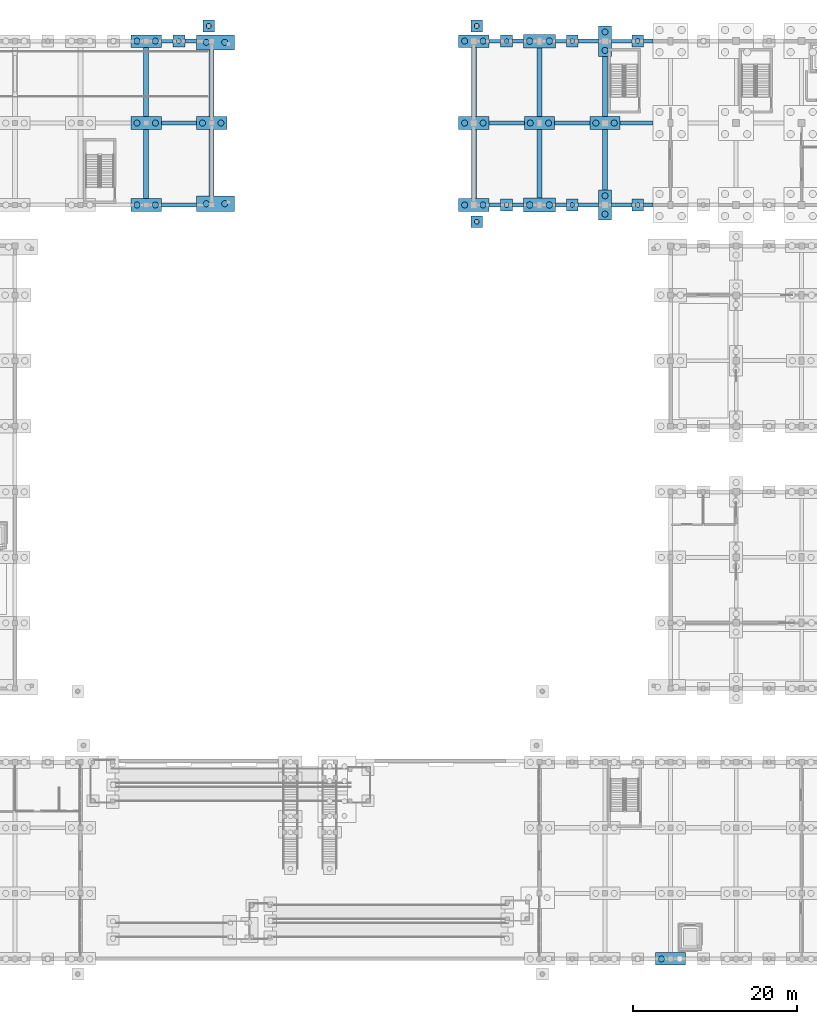
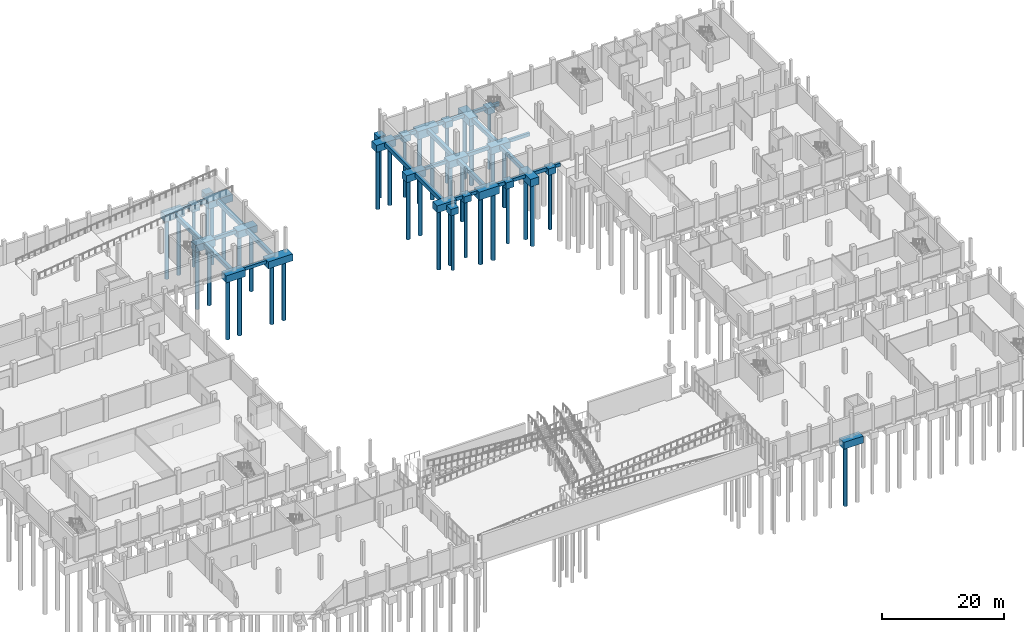
# One storey, part 8 of 52: 55 footings, 41 piles.
"""IFC4 building model written with IfcOpenShell, lengths in metres."""

import ifcopenshell
import ifcopenshell.guid

model = None  # the IFC model being written
_history = None  # IfcOwnerHistory: only IFC2X3 demands one
_inside = {}  # id of a spatial element -> (the spatial element, [elements in it])
_under = {}  # id of a project, library or spatial element -> (it, [spatial elements below it])
_declared = {}  # id of a project -> (the project, [libraries it declares])
_typed = {}  # id of a type object -> (the type object, [elements of that type])
_made_of = {}  # id of a material, layer set ... -> (it, [elements and type objects made of it])


def new_model(schema):
    """Start an empty IFC model of exactly this schema.

    Asked for "IFC4X3", IfcOpenShell would pick the latest addendum, in which some entities
    have other attributes; the version numbers below select the first issue.
    IFC2X3 requires an IfcOwnerHistory on every rooted entity: one is made here for all.
    """
    global model, _history
    if schema == "IFC4X3":
        model = ifcopenshell.file(schema_version=(4, 3, 0, 0))
    else:
        model = ifcopenshell.file(schema=schema)
    _inside.clear()
    _under.clear()
    _declared.clear()
    _typed.clear()
    _made_of.clear()
    _history = None
    if model.schema == "IFC2X3":
        org = make("IfcOrganization", Name="unknown")
        user = make(
            "IfcPersonAndOrganization",
            ThePerson=make("IfcPerson", FamilyName="unknown"),
            TheOrganization=org,
        )
        app = make(
            "IfcApplication",
            ApplicationDeveloper=org,
            Version="unknown",
            ApplicationFullName="unknown",
            ApplicationIdentifier="unknown",
        )
        _history = make(
            "IfcOwnerHistory",
            OwningUser=user,
            OwningApplication=app,
            ChangeAction="ADDED",
            CreationDate=0,
        )
    return model


def make(cls, **values):
    """One entity of the class cls with the attributes given. An attribute that is None is left unset."""
    return model.create_entity(
        cls, **{name: value for name, value in values.items() if value is not None}
    )


def rooted(cls, **values):
    """An entity with a GlobalId (a new one), such as an element, a storey or a relation."""
    return make(cls, GlobalId=ifcopenshell.guid.new(), OwnerHistory=_history, **values)


def si_unit(unit_type, name, prefix=None):
    """IfcSIUnit, for example si_unit("LENGTHUNIT", "METRE", prefix="MILLI")."""
    return make("IfcSIUnit", UnitType=unit_type, Prefix=prefix, Name=name)


def assignment(units):
    """IfcUnitAssignment: the units of a project."""
    return None if units is None else make("IfcUnitAssignment", Units=units)


def point(xyz):
    """IfcCartesianPoint."""
    return None if xyz is None else make("IfcCartesianPoint", Coordinates=xyz)


def direction(xyz):
    """IfcDirection."""
    return None if xyz is None else make("IfcDirection", DirectionRatios=xyz)


def frame(location, z_axis=None, x_axis=None):
    """IfcAxis2Placement3D, a coordinate frame: its origin and axes. An axis left out is left unset."""
    return make(
        "IfcAxis2Placement3D",
        Location=point(location),
        Axis=direction(z_axis),
        RefDirection=direction(x_axis),
    )


def frame_2d(location, x_axis=None):
    """IfcAxis2Placement2D, a coordinate frame in the plane: its origin and x axis."""
    return make(
        "IfcAxis2Placement2D", Location=point(location), RefDirection=direction(x_axis)
    )


def origin():
    """The frame at (0, 0, 0) with its axes left unset."""
    return frame((0.0, 0.0, 0.0))


def origin_2d():
    """The frame at (0, 0) in the plane with its x axis left unset."""
    return frame_2d((0.0, 0.0))


def place(relative_to, where):
    """IfcLocalPlacement: puts the frame where relative to a parent placement (None: the world)."""
    return make(
        "IfcLocalPlacement", PlacementRelTo=relative_to, RelativePlacement=where
    )


def context(
    kind, dimensions, precision=None, world=None, true_north=None, identifier=None
):
    """IfcGeometricRepresentationContext, for example the 3D "Model" context."""
    return make(
        "IfcGeometricRepresentationContext",
        ContextIdentifier=identifier,
        ContextType=kind,
        CoordinateSpaceDimension=dimensions,
        Precision=precision,
        WorldCoordinateSystem=world,
        TrueNorth=true_north,
    )


def subcontext(parent, identifier, kind, view, scale=None):
    """IfcGeometricRepresentationSubContext, for example "Body" below "Model"."""
    return make(
        "IfcGeometricRepresentationSubContext",
        ContextIdentifier=identifier,
        ContextType=kind,
        ParentContext=parent,
        TargetScale=scale,
        TargetView=view,
    )


def project(units=None, contexts=None):
    """IfcProject with its units and contexts."""
    return rooted(
        "IfcProject",
        Name="project",
        RepresentationContexts=contexts,
        UnitsInContext=assignment(units),
    )


def spatial(cls, under=None, at=None, **own):
    """A site, building, storey or space (cls), placed at a placement, below another one or the project."""
    s = rooted(cls, ObjectPlacement=at, **own)
    if under is not None:
        _under.setdefault(under.id(), (under, []))[1].append(s)
    return s


def polyline(points):
    """IfcPolyline through the points."""
    return make("IfcPolyline", Points=[point(p) for p in points])


def profile(cls, at=None, kind="AREA", **sizes):
    """A parametric profile (cls). Its sizes go by their IFC names, for example OverallWidth=200.0."""
    return make(cls, ProfileType=kind, Position=at, **sizes)


def rectangle(**sizes):
    """IfcRectangleProfileDef."""
    return profile("IfcRectangleProfileDef", **sizes)


def circle(**sizes):
    """IfcCircleProfileDef."""
    return profile("IfcCircleProfileDef", **sizes)


def outline(outer, holes=None, kind="AREA"):
    """IfcArbitraryClosedProfileDef: a profile drawn as a closed curve; with holes, ...WithVoids."""
    if holes is None:
        return make("IfcArbitraryClosedProfileDef", ProfileType=kind, OuterCurve=outer)
    return make(
        "IfcArbitraryProfileDefWithVoids",
        ProfileType=kind,
        OuterCurve=outer,
        InnerCurves=holes,
    )


def extrude(swept, where, along, depth):
    """IfcExtrudedAreaSolid: the profile swept, set in the frame where, extruded along a direction by depth."""
    return make(
        "IfcExtrudedAreaSolid",
        SweptArea=swept,
        Position=where,
        ExtrudedDirection=direction(along),
        Depth=depth,
    )


def shape(context_of_items, identifier, shape_type, items):
    """IfcShapeRepresentation: the items that make up one representation, for example the "Body"."""
    return make(
        "IfcShapeRepresentation",
        ContextOfItems=context_of_items,
        RepresentationIdentifier=identifier,
        RepresentationType=shape_type,
        Items=items,
    )


def material(Name=None, Category=None):
    """IfcMaterial."""
    return make("IfcMaterial", Name=Name, Category=Category)


def material_profile(
    of_material, cross_section, Name=None, Category=None, Priority=None
):
    """IfcMaterialProfile: a cross section and its material."""
    return make(
        "IfcMaterialProfile",
        Name=Name,
        Material=of_material,
        Profile=cross_section,
        Priority=Priority,
        Category=Category,
    )


def profile_set(profiles, Name=None, composite=None):
    """IfcMaterialProfileSet."""
    return make(
        "IfcMaterialProfileSet",
        Name=Name,
        MaterialProfiles=profiles,
        CompositeProfile=composite,
    )


def made_of(thing, what):
    """Note that an element or type object is made of a material, layer set ...; save() writes the relation."""
    if what is not None:
        _made_of.setdefault(what.id(), (what, []))[1].append(thing)
    return thing


def type_object(cls, material=None, **own):
    """A type object (cls), such as IfcWallType, which elements share."""
    return made_of(rooted(cls, **own), material)


def element(
    cls,
    number,
    at=None,
    inside=None,
    cuts=None,
    type_object=None,
    material=None,
    context=None,
    identifier="Body",
    shape_type=None,
    held_by="IfcProductDefinitionShape",
    body=None,
    shapes=None,
    **own,
):
    """One element of the class cls, such as IfcWall. Its Tag is "e" and its number.

    at: its placement. inside: the storey or other place that contains it. cuts: it is an
    opening in that element (IfcRelVoidsElement). A single representation is given by context,
    identifier, shape_type and body (its items); several are given by shapes. held_by: the class
    of the entity that holds the representations. save() writes the other relations.
    """
    e = rooted(cls, Tag="e%d" % number, ObjectPlacement=at, **own)
    if body is not None:
        shapes = [shape(context, identifier, shape_type, body)]
    if shapes is not None:
        e.Representation = make(held_by, Representations=shapes)
    if inside is not None:
        _inside.setdefault(inside.id(), (inside, []))[1].append(e)
    if cuts is not None:
        rooted(
            "IfcRelVoidsElement", RelatingBuildingElement=cuts, RelatedOpeningElement=e
        )
    if type_object is not None:
        _typed.setdefault(type_object.id(), (type_object, []))[1].append(e)
    return made_of(e, material)


def aggregate(whole, parts):
    """IfcRelAggregates: a whole, such as a stair, and the parts it consists of."""
    return rooted("IfcRelAggregates", RelatingObject=whole, RelatedObjects=parts)


def save(model, path):
    """Write the relations noted so far, then the file.

    IfcRelAggregates (storeys below a building ...), IfcRelContainedInSpatialStructure (elements
    in a storey), IfcRelDefinesByType, IfcRelAssociatesMaterial and IfcRelDeclares: one each for
    every whole, place, type object, material and project.
    """
    for whole, parts in _under.values():
        aggregate(whole, parts)
    for where, things in _inside.values():
        rooted(
            "IfcRelContainedInSpatialStructure",
            RelatedElements=things,
            RelatingStructure=where,
        )
    for kind, things in _typed.values():
        rooted("IfcRelDefinesByType", RelatedObjects=things, RelatingType=kind)
    for what, things in _made_of.values():
        rooted("IfcRelAssociatesMaterial", RelatedObjects=things, RelatingMaterial=what)
    for by, libraries in _declared.values():
        rooted("IfcRelDeclares", RelatingContext=by, RelatedDefinitions=libraries)
    model.write(path)


model = new_model("IFC4")

# Units and contexts
model_context = context("Model", 3, precision=1e-05, world=origin(), true_north=direction((0.0, 1.0)))
body_context = subcontext(model_context, "Body", "Model", "MODEL_VIEW")
ifc_project = project(units=[si_unit("LENGTHUNIT", "METRE"), si_unit("AREAUNIT", "SQUARE_METRE"), si_unit("VOLUMEUNIT", "CUBIC_METRE"), si_unit("PLANEANGLEUNIT", "RADIAN"), si_unit("MASSUNIT", "GRAM", prefix="KILO")], contexts=[model_context])

# Site, building, storey
site_placement = place(None, origin())
site = spatial("IfcSite", under=ifc_project, at=site_placement, CompositionType="ELEMENT")
building_placement = place(site_placement, origin())
building = spatial("IfcBuilding", under=site, at=building_placement, Name="Luwemba Playhouse", CompositionType="ELEMENT")
storey_placement = place(building_placement, frame((0.0, 0.0, -4.800048828125)))
storey = spatial("IfcBuildingStorey", under=building, at=storey_placement, Name="B1", CompositionType="ELEMENT", Elevation=-4.800048828125)

# Footings
ifc_material = material(Name="Concrete C32/40", Category="concrete")
ifc_material_profile_1 = material_profile(ifc_material, rectangle(XDim=0.449951171875, YDim=0.64990234375, at=origin_2d()))
ifc_profile_set_1 = profile_set([ifc_material_profile_1], Name="Concrete C32/40")
footing_type_1 = type_object("IfcFootingType", Name="FTBM-GB1", PredefinedType="FOOTING_BEAM", material=ifc_profile_set_1)
footing_1_placement = place(storey_placement, frame((69.85009765625, 95.0, -0.704833984375), z_axis=(1.0, 0.0, 0.0), x_axis=(0.0, 1.0, 0.0)))
element("IfcFooting", 1, at=footing_1_placement, inside=storey, type_object=footing_type_1, Name="Ground tie-beam 201", PredefinedType="FOOTING_BEAM", context=body_context, shape_type="SweptSolid", body=[
    extrude(rectangle(XDim=0.449951171875, YDim=0.64990234375, at=origin_2d()), origin(), (0.0, 0.0, 1.0), 4.2998046875),
])
footing_2_placement = place(storey_placement, frame((112.72509765625, 95.0, -0.704833984375), z_axis=(1.0, 0.0, 0.0), x_axis=(0.0, 1.0, 0.0)))
element("IfcFooting", 2, at=footing_2_placement, inside=storey, type_object=footing_type_1, Name="Ground tie-beam 203", PredefinedType="FOOTING_BEAM", context=body_context, shape_type="SweptSolid", body=[
    extrude(rectangle(XDim=0.449951171875, YDim=0.64990234375, at=origin_2d()), origin(), (0.0, 0.0, 1.0), 1.324951171875),
])
footing_3_placement = place(storey_placement, frame((120.72509765625, 95.0, -0.704833984375), z_axis=(1.0, 0.0, 0.0), x_axis=(0.0, 1.0, 0.0)))
element("IfcFooting", 3, at=footing_3_placement, inside=storey, type_object=footing_type_1, Name="Ground tie-beam 205", PredefinedType="FOOTING_BEAM", context=body_context, shape_type="SweptSolid", body=[
    extrude(rectangle(XDim=0.449951171875, YDim=0.64990234375, at=origin_2d()), origin(), (0.0, 0.0, 1.0), 2.474853515625),
])
footing_4_placement = place(storey_placement, frame((128.72509765625, 95.0, -0.704833984375), z_axis=(1.0, 0.0, 0.0), x_axis=(0.0, 1.0, 0.0)))
element("IfcFooting", 4, at=footing_4_placement, inside=storey, type_object=footing_type_1, Name="Ground tie-beam 207", PredefinedType="FOOTING_BEAM", context=body_context, shape_type="SweptSolid", body=[
    extrude(rectangle(XDim=0.449951171875, YDim=0.64990234375, at=origin_2d()), origin(), (0.0, 0.0, 1.0), 1.125),
])
footing_5_placement = place(storey_placement, frame((109.85009765625, 105.0, -0.704833984375), z_axis=(1.0, 0.0, 0.0), x_axis=(0.0, 1.0, 0.0)))
element("IfcFooting", 5, at=footing_5_placement, inside=storey, type_object=footing_type_1, Name="Ground tie-beam 227", PredefinedType="FOOTING_BEAM", context=body_context, shape_type="SweptSolid", body=[
    extrude(rectangle(XDim=0.449951171875, YDim=0.64990234375, at=origin_2d()), origin(), (0.0, 0.0, 1.0), 4.2998046875),
])
footing_6_placement = place(storey_placement, frame((125.85009765625, 105.0, -0.704833984375), z_axis=(1.0, 0.0, 0.0), x_axis=(0.0, 1.0, 0.0)))
element("IfcFooting", 6, at=footing_6_placement, inside=storey, type_object=footing_type_1, Name="Ground tie-beam 229", PredefinedType="FOOTING_BEAM", context=body_context, shape_type="SweptSolid", body=[
    extrude(rectangle(XDim=0.449951171875, YDim=0.64990234375, at=origin_2d()), origin(), (0.0, 0.0, 1.0), 4.0),
])
for number, where, z_axis, x_axis, name in (
    (7, (69.85009765625, 115.0, -0.704833984375), (1.0, 0.0, 0.0), (0.0, 1.0, 0.0), "Ground tie-beam 251"),
    (8, (109.85009765625, 115.0, -0.704833984375), (1.0, 0.0, 0.0), (0.0, 1.0, 0.0), "Ground tie-beam 253"),
):
    element("IfcFooting", number, at=place(storey_placement, frame(where, z_axis=z_axis, x_axis=x_axis)), inside=storey, type_object=footing_type_1, Name=name, PredefinedType="FOOTING_BEAM", context=body_context, shape_type="SweptSolid", body=[
        extrude(rectangle(XDim=0.449951171875, YDim=0.64990234375, at=origin_2d()), origin(), (0.0, 0.0, 1.0), 1.4248046875),
    ])
footing_7_placement = place(storey_placement, frame((117.949951171875, 115.0, -0.704833984375), z_axis=(1.0, 0.0, 0.0), x_axis=(0.0, 1.0, 0.0)))
element("IfcFooting", 9, at=footing_7_placement, inside=storey, type_object=footing_type_1, Name="Ground tie-beam 255", PredefinedType="FOOTING_BEAM", context=body_context, shape_type="SweptSolid", body=[
    extrude(rectangle(XDim=0.449951171875, YDim=0.64990234375, at=origin_2d()), origin(), (0.0, 0.0, 1.0), 1.324951171875),
])
footing_8_placement = place(storey_placement, frame((124.800048828125, 115.0, -0.704833984375), z_axis=(1.0, 0.0, 0.0), x_axis=(0.0, 1.0, 0.0)))
element("IfcFooting", 10, at=footing_8_placement, inside=storey, type_object=footing_type_1, Name="Ground tie-beam 257", PredefinedType="FOOTING_BEAM", context=body_context, shape_type="SweptSolid", body=[
    extrude(rectangle(XDim=0.449951171875, YDim=0.64990234375, at=origin_2d()), origin(), (0.0, 0.0, 1.0), 2.474853515625),
])
ifc_material_profile_2 = material_profile(ifc_material, rectangle(XDim=0.5, YDim=0.699951171875, at=origin_2d()))
ifc_profile_set_2 = profile_set([ifc_material_profile_2], Name="Concrete C32/40")
footing_type_2 = type_object("IfcFootingType", Name="FTBM-GB2", PredefinedType="FOOTING_BEAM", material=ifc_profile_set_2)
footing_9_placement = place(storey_placement, frame((109.85009765625, 95.0, -0.72998046875), z_axis=(1.0, 0.0, 0.0), x_axis=(0.0, 1.0, 0.0)))
element("IfcFooting", 11, at=footing_9_placement, inside=storey, type_object=footing_type_2, Name="Ground tie-beam 202", PredefinedType="FOOTING_BEAM", context=body_context, shape_type="SweptSolid", body=[
    extrude(rectangle(XDim=0.5, YDim=0.699951171875, at=origin_2d()), origin(), (0.0, 0.0, 1.0), 1.4248046875),
])
footing_10_placement = place(storey_placement, frame((117.949951171875, 95.0, -0.72998046875), z_axis=(1.0, 0.0, 0.0), x_axis=(0.0, 1.0, 0.0)))
element("IfcFooting", 12, at=footing_10_placement, inside=storey, type_object=footing_type_2, Name="Ground tie-beam 204", PredefinedType="FOOTING_BEAM", context=body_context, shape_type="SweptSolid", body=[
    extrude(rectangle(XDim=0.5, YDim=0.699951171875, at=origin_2d()), origin(), (0.0, 0.0, 1.0), 1.324951171875),
])
footing_11_placement = place(storey_placement, frame((124.800048828125, 95.0, -0.72998046875), z_axis=(1.0, 0.0, 0.0), x_axis=(0.0, 1.0, 0.0)))
element("IfcFooting", 13, at=footing_11_placement, inside=storey, type_object=footing_type_2, Name="Ground tie-beam 206", PredefinedType="FOOTING_BEAM", context=body_context, shape_type="SweptSolid", body=[
    extrude(rectangle(XDim=0.5, YDim=0.699951171875, at=origin_2d()), origin(), (0.0, 0.0, 1.0), 2.474853515625),
])
for number, where, z_axis, x_axis, name in (
    (14, (69.85009765625, 105.0, -0.72998046875), (1.0, 0.0, 0.0), (0.0, 1.0, 0.0), "Ground tie-beam 226"),
    (15, (117.85009765625, 105.0, -0.72998046875), (1.0, 0.0, 0.0), (0.0, 1.0, 0.0), "Ground tie-beam 228"),
):
    element("IfcFooting", number, at=place(storey_placement, frame(where, z_axis=z_axis, x_axis=x_axis)), inside=storey, type_object=footing_type_2, Name=name, PredefinedType="FOOTING_BEAM", context=body_context, shape_type="SweptSolid", body=[
        extrude(rectangle(XDim=0.5, YDim=0.699951171875, at=origin_2d()), origin(), (0.0, 0.0, 1.0), 4.2998046875),
    ])
footing_12_placement = place(storey_placement, frame((72.72509765625, 115.0, -0.72998046875), z_axis=(1.0, 0.0, 0.0), x_axis=(0.0, 1.0, 0.0)))
element("IfcFooting", 16, at=footing_12_placement, inside=storey, type_object=footing_type_2, Name="Ground tie-beam 252", PredefinedType="FOOTING_BEAM", context=body_context, shape_type="SweptSolid", body=[
    extrude(rectangle(XDim=0.5, YDim=0.699951171875, at=origin_2d()), origin(), (0.0, 0.0, 1.0), 1.4248046875),
])
footing_13_placement = place(storey_placement, frame((112.72509765625, 115.0, -0.72998046875), z_axis=(1.0, 0.0, 0.0), x_axis=(0.0, 1.0, 0.0)))
element("IfcFooting", 17, at=footing_13_placement, inside=storey, type_object=footing_type_2, Name="Ground tie-beam 254", PredefinedType="FOOTING_BEAM", context=body_context, shape_type="SweptSolid", body=[
    extrude(rectangle(XDim=0.5, YDim=0.699951171875, at=origin_2d()), origin(), (0.0, 0.0, 1.0), 1.324951171875),
])
footing_14_placement = place(storey_placement, frame((120.72509765625, 115.0, -0.72998046875), z_axis=(1.0, 0.0, 0.0), x_axis=(0.0, 1.0, 0.0)))
element("IfcFooting", 18, at=footing_14_placement, inside=storey, type_object=footing_type_2, Name="Ground tie-beam 256", PredefinedType="FOOTING_BEAM", context=body_context, shape_type="SweptSolid", body=[
    extrude(rectangle(XDim=0.5, YDim=0.699951171875, at=origin_2d()), origin(), (0.0, 0.0, 1.0), 2.474853515625),
])
footing_15_placement = place(storey_placement, frame((128.72509765625, 115.0, -0.72998046875), z_axis=(1.0, 0.0, 0.0), x_axis=(0.0, 1.0, 0.0)))
element("IfcFooting", 19, at=footing_15_placement, inside=storey, type_object=footing_type_2, Name="Ground tie-beam 258", PredefinedType="FOOTING_BEAM", context=body_context, shape_type="SweptSolid", body=[
    extrude(rectangle(XDim=0.5, YDim=0.699951171875, at=origin_2d()), origin(), (0.0, 0.0, 1.0), 1.125),
])
ifc_material_profile_3 = material_profile(ifc_material, rectangle(XDim=0.60009765625, YDim=0.800048828125, at=origin_2d()))
ifc_profile_set_3 = profile_set([ifc_material_profile_3], Name="Concrete C32/40")
footing_type_3 = type_object("IfcFootingType", Name="FTBM-GB3", PredefinedType="FOOTING_BEAM", material=ifc_profile_set_3)
for number, where, z_axis, x_axis, name in (
    (20, (68.0, 95.77490234375, -0.780029296875), (0.0, 1.0, 0.0), (-1.0, 0.0, 0.0), "Ground tie-beam 346"),
    (21, (68.0, 105.77490234375, -0.780029296875), (0.0, 1.0, 0.0), (-1.0, 0.0, 0.0), "Ground tie-beam 347"),
):
    element("IfcFooting", number, at=place(storey_placement, frame(where, z_axis=z_axis, x_axis=x_axis)), inside=storey, type_object=footing_type_3, Name=name, PredefinedType="FOOTING_BEAM", context=body_context, shape_type="SweptSolid", body=[
        extrude(rectangle(XDim=0.60009765625, YDim=0.800048828125, at=origin_2d()), origin(), (0.0, 0.0, 1.0), 8.4501953125),
    ])
for number, where, z_axis, x_axis, name in (
    (22, (76.0, 96.074951171875, -0.780029296875), (0.0, 1.0, 0.0), (-1.0, 0.0, 0.0), "Ground tie-beam 348"),
    (23, (76.0, 105.77490234375, -0.780029296875), (0.0, 1.0, 0.0), (-1.0, 0.0, 0.0), "Ground tie-beam 349"),
):
    element("IfcFooting", number, at=place(storey_placement, frame(where, z_axis=z_axis, x_axis=x_axis)), inside=storey, type_object=footing_type_3, Name=name, PredefinedType="FOOTING_BEAM", context=body_context, shape_type="SweptSolid", body=[
        extrude(rectangle(XDim=0.60009765625, YDim=0.800048828125, at=origin_2d()), origin(), (0.0, 0.0, 1.0), 8.150146484375),
    ])
for number, where, z_axis, x_axis, name in (
    (24, (108.0, 95.77490234375, -0.780029296875), (0.0, 1.0, 0.0), (-1.0, 0.0, 0.0), "Ground tie-beam 350"),
    (25, (108.0, 105.77490234375, -0.780029296875), (0.0, 1.0, 0.0), (-1.0, 0.0, 0.0), "Ground tie-beam 351"),
):
    element("IfcFooting", number, at=place(storey_placement, frame(where, z_axis=z_axis, x_axis=x_axis)), inside=storey, type_object=footing_type_3, Name=name, PredefinedType="FOOTING_BEAM", context=body_context, shape_type="SweptSolid", body=[
        extrude(rectangle(XDim=0.60009765625, YDim=0.800048828125, at=origin_2d()), origin(), (0.0, 0.0, 1.0), 8.4501953125),
    ])
for number, where, z_axis, x_axis, name in (
    (26, (116.0, 95.824951171875, -0.780029296875), (0.0, 1.0, 0.0), (-1.0, 0.0, 0.0), "Ground tie-beam 355"),
    (27, (116.0, 105.77490234375, -0.780029296875), (0.0, 1.0, 0.0), (-1.0, 0.0, 0.0), "Ground tie-beam 356"),
):
    element("IfcFooting", number, at=place(storey_placement, frame(where, z_axis=z_axis, x_axis=x_axis)), inside=storey, type_object=footing_type_3, Name=name, PredefinedType="FOOTING_BEAM", context=body_context, shape_type="SweptSolid", body=[
        extrude(rectangle(XDim=0.60009765625, YDim=0.800048828125, at=origin_2d()), origin(), (0.0, 0.0, 1.0), 8.400146484375),
    ])
for number, where, z_axis, x_axis, name in (
    (28, (124.0, 96.85009765625, -0.780029296875), (0.0, 1.0, 0.0), (-1.0, 0.0, 0.0), "Ground tie-beam 360"),
    (29, (124.0, 105.77490234375, -0.780029296875), (0.0, 1.0, 0.0), (-1.0, 0.0, 0.0), "Ground tie-beam 361"),
):
    element("IfcFooting", number, at=place(storey_placement, frame(where, z_axis=z_axis, x_axis=x_axis)), inside=storey, type_object=footing_type_3, Name=name, PredefinedType="FOOTING_BEAM", context=body_context, shape_type="SweptSolid", body=[
        extrude(rectangle(XDim=0.60009765625, YDim=0.800048828125, at=origin_2d()), origin(), (0.0, 0.0, 1.0), 7.375),
    ])
footing_type_4 = type_object("IfcFootingType", Name="FTG-PC02", PredefinedType="PILE_CAP", material=ifc_material)
footing_16_placement = place(storey_placement, frame((0.0, 0.0, -1.679931640625)))
element("IfcFooting", 30, at=footing_16_placement, inside=storey, type_object=footing_type_4, Name="Pile cap 256", PredefinedType="PILE_CAP", context=body_context, shape_type="SweptSolid", body=[
    extrude(outline(polyline([(107.625, 92.22509765625), (109.074951171875, 92.22509765625), (109.074951171875, 93.675048828125), (107.625, 93.675048828125), (107.625, 92.22509765625)])), origin(), (0.0, 0.0, 1.0), 1.300048828125),
])
footing_17_placement = place(storey_placement, frame((0.0, 0.0, -1.679931640625)))
element("IfcFooting", 31, at=footing_17_placement, inside=storey, type_object=footing_type_4, Name="Pile cap 278", PredefinedType="PILE_CAP", context=body_context, shape_type="SweptSolid", body=[
    extrude(outline(polyline([(111.27490234375, 94.27490234375), (112.72509765625, 94.27490234375), (112.72509765625, 95.72509765625), (111.27490234375, 95.72509765625), (111.27490234375, 94.27490234375)])), origin(), (0.0, 0.0, 1.0), 1.300048828125),
])
footing_18_placement = place(storey_placement, frame((0.0, 0.0, -1.679931640625)))
element("IfcFooting", 32, at=footing_18_placement, inside=storey, type_object=footing_type_4, Name="Pile cap 279", PredefinedType="PILE_CAP", context=body_context, shape_type="SweptSolid", body=[
    extrude(outline(polyline([(119.27490234375, 94.27490234375), (120.72509765625, 94.27490234375), (120.72509765625, 95.72509765625), (119.27490234375, 95.72509765625), (119.27490234375, 94.27490234375)])), origin(), (0.0, 0.0, 1.0), 1.300048828125),
])
footing_19_placement = place(storey_placement, frame((0.0, 0.0, -1.679931640625)))
element("IfcFooting", 33, at=footing_19_placement, inside=storey, type_object=footing_type_4, Name="Pile cap 280", PredefinedType="PILE_CAP", context=body_context, shape_type="SweptSolid", body=[
    extrude(outline(polyline([(127.27490234375, 94.27490234375), (128.72509765625, 94.27490234375), (128.72509765625, 95.72509765625), (127.27490234375, 95.72509765625), (127.27490234375, 94.27490234375)])), origin(), (0.0, 0.0, 1.0), 1.300048828125),
])
footing_20_placement = place(storey_placement, frame((0.0, 0.0, -1.679931640625)))
element("IfcFooting", 34, at=footing_20_placement, inside=storey, type_object=footing_type_4, Name="Pile cap 332", PredefinedType="PILE_CAP", context=body_context, shape_type="SweptSolid", body=[
    extrude(outline(polyline([(71.27490234375, 114.27490234375), (72.72509765625, 114.27490234375), (72.72509765625, 115.72509765625), (71.27490234375, 115.72509765625), (71.27490234375, 114.27490234375)])), origin(), (0.0, 0.0, 1.0), 1.300048828125),
])
footing_21_placement = place(storey_placement, frame((0.0, 0.0, -1.679931640625)))
element("IfcFooting", 35, at=footing_21_placement, inside=storey, type_object=footing_type_4, Name="Pile cap 333", PredefinedType="PILE_CAP", context=body_context, shape_type="SweptSolid", body=[
    extrude(outline(polyline([(111.27490234375, 114.27490234375), (112.72509765625, 114.27490234375), (112.72509765625, 115.72509765625), (111.27490234375, 115.72509765625), (111.27490234375, 114.27490234375)])), origin(), (0.0, 0.0, 1.0), 1.300048828125),
])
footing_22_placement = place(storey_placement, frame((0.0, 0.0, -1.679931640625)))
element("IfcFooting", 36, at=footing_22_placement, inside=storey, type_object=footing_type_4, Name="Pile cap 334", PredefinedType="PILE_CAP", context=body_context, shape_type="SweptSolid", body=[
    extrude(outline(polyline([(119.27490234375, 114.27490234375), (120.72509765625, 114.27490234375), (120.72509765625, 115.72509765625), (119.27490234375, 115.72509765625), (119.27490234375, 114.27490234375)])), origin(), (0.0, 0.0, 1.0), 1.300048828125),
])
footing_23_placement = place(storey_placement, frame((0.0, 0.0, -1.679931640625)))
element("IfcFooting", 37, at=footing_23_placement, inside=storey, type_object=footing_type_4, Name="Pile cap 335", PredefinedType="PILE_CAP", context=body_context, shape_type="SweptSolid", body=[
    extrude(outline(polyline([(127.27490234375, 114.27490234375), (128.72509765625, 114.27490234375), (128.72509765625, 115.72509765625), (127.27490234375, 115.72509765625), (127.27490234375, 114.27490234375)])), origin(), (0.0, 0.0, 1.0), 1.300048828125),
])
footing_24_placement = place(storey_placement, frame((0.0, 0.0, -1.679931640625)))
element("IfcFooting", 38, at=footing_24_placement, inside=storey, type_object=footing_type_4, Name="Pile cap 342", PredefinedType="PILE_CAP", context=body_context, shape_type="SweptSolid", body=[
    extrude(outline(polyline([(74.925048828125, 116.125), (76.375, 116.125), (76.375, 117.574951171875), (74.925048828125, 117.574951171875), (74.925048828125, 116.125)])), origin(), (0.0, 0.0, 1.0), 1.300048828125),
])
footing_25_placement = place(storey_placement, frame((0.0, 0.0, -1.679931640625)))
element("IfcFooting", 39, at=footing_25_placement, inside=storey, type_object=footing_type_4, Name="Pile cap 343", PredefinedType="PILE_CAP", context=body_context, shape_type="SweptSolid", body=[
    extrude(outline(polyline([(107.625, 116.125), (109.074951171875, 116.125), (109.074951171875, 117.574951171875), (107.625, 117.574951171875), (107.625, 116.125)])), origin(), (0.0, 0.0, 1.0), 1.300048828125),
])
footing_type_5 = type_object("IfcFootingType", Name="FTG-PC03", PredefinedType="PILE_CAP", material=ifc_material)
footing_26_placement = place(storey_placement, frame((0.0, 0.0, -1.8798828125)))
element("IfcFooting", 40, at=footing_26_placement, inside=storey, type_object=footing_type_5, Name="Pile cap 263", PredefinedType="PILE_CAP", context=body_context, shape_type="SweptSolid", body=[
    extrude(outline(polyline([(123.199951171875, 93.14990234375), (124.800048828125, 93.14990234375), (124.800048828125, 96.85009765625), (123.199951171875, 96.85009765625), (123.199951171875, 93.14990234375)])), origin(), (0.0, 0.0, 1.0), 1.5),
])
footing_27_placement = place(storey_placement, frame((0.0, 0.0, -1.8798828125)))
element("IfcFooting", 41, at=footing_27_placement, inside=storey, type_object=footing_type_5, Name="Pile cap 311", PredefinedType="PILE_CAP", context=body_context, shape_type="SweptSolid", body=[
    extrude(outline(polyline([(123.199951171875, 113.14990234375), (124.800048828125, 113.14990234375), (124.800048828125, 116.85009765625), (123.199951171875, 116.85009765625), (123.199951171875, 113.14990234375)])), origin(), (0.0, 0.0, 1.0), 1.5),
])
footing_type_6 = type_object("IfcFootingType", Name="FTG-PC04", PredefinedType="PILE_CAP", material=ifc_material)
footing_28_placement = place(storey_placement, frame((0.0, 0.0, -1.97998046875)))
element("IfcFooting", 42, at=footing_28_placement, inside=storey, type_object=footing_type_6, Name="Pile cap 264", PredefinedType="PILE_CAP", context=body_context, shape_type="SweptSolid", body=[
    extrude(outline(polyline([(114.050048828125, 94.175048828125), (117.949951171875, 94.175048828125), (117.949951171875, 95.824951171875), (114.050048828125, 95.824951171875), (114.050048828125, 94.175048828125)])), origin(), (0.0, 0.0, 1.0), 1.60009765625),
])
footing_29_placement = place(storey_placement, frame((0.0, 0.0, -1.97998046875)))
element("IfcFooting", 43, at=footing_29_placement, inside=storey, type_object=footing_type_6, Name="Pile cap 314", PredefinedType="PILE_CAP", context=body_context, shape_type="SweptSolid", body=[
    extrude(outline(polyline([(114.050048828125, 114.175048828125), (117.949951171875, 114.175048828125), (117.949951171875, 115.824951171875), (114.050048828125, 115.824951171875), (114.050048828125, 114.175048828125)])), origin(), (0.0, 0.0, 1.0), 1.60009765625),
])
footing_type_7 = type_object("IfcFootingType", Name="FTG-PC05", PredefinedType="PILE_CAP", material=ifc_material)
footing_30_placement = place(storey_placement, frame((0.0, 0.0, -1.780029296875)))
element("IfcFooting", 44, at=footing_30_placement, inside=storey, type_object=footing_type_7, Name="Pile cap 014", PredefinedType="PILE_CAP", context=body_context, shape_type="SweptSolid", body=[
    extrude(outline(polyline([(130.14990234375, 2.22509765625), (133.85009765625, 2.22509765625), (133.85009765625, 3.77490234375), (130.14990234375, 3.77490234375), (130.14990234375, 2.22509765625)])), origin(), (0.0, 0.0, 1.0), 1.400146484375),
])
footing_31_placement = place(storey_placement, frame((0.0, 0.0, -1.780029296875)))
element("IfcFooting", 45, at=footing_31_placement, inside=storey, type_object=footing_type_7, Name="Pile cap 273", PredefinedType="PILE_CAP", context=body_context, shape_type="SweptSolid", body=[
    extrude(outline(polyline([(66.14990234375, 94.22509765625), (69.85009765625, 94.22509765625), (69.85009765625, 95.77490234375), (66.14990234375, 95.77490234375), (66.14990234375, 94.22509765625)])), origin(), (0.0, 0.0, 1.0), 1.400146484375),
])
footing_32_placement = place(storey_placement, frame((0.0, 0.0, -1.780029296875)))
element("IfcFooting", 46, at=footing_32_placement, inside=storey, type_object=footing_type_7, Name="Pile cap 275", PredefinedType="PILE_CAP", context=body_context, shape_type="SweptSolid", body=[
    extrude(outline(polyline([(106.14990234375, 94.22509765625), (109.85009765625, 94.22509765625), (109.85009765625, 95.77490234375), (106.14990234375, 95.77490234375), (106.14990234375, 94.22509765625)])), origin(), (0.0, 0.0, 1.0), 1.400146484375),
])
footing_33_placement = place(storey_placement, frame((0.0, 0.0, -1.780029296875)))
element("IfcFooting", 47, at=footing_33_placement, inside=storey, type_object=footing_type_7, Name="Pile cap 300", PredefinedType="PILE_CAP", context=body_context, shape_type="SweptSolid", body=[
    extrude(outline(polyline([(66.14990234375, 104.22509765625), (69.85009765625, 104.22509765625), (69.85009765625, 105.77490234375), (66.14990234375, 105.77490234375), (66.14990234375, 104.22509765625)])), origin(), (0.0, 0.0, 1.0), 1.400146484375),
])
footing_34_placement = place(storey_placement, frame((0.0, 0.0, -1.780029296875)))
element("IfcFooting", 48, at=footing_34_placement, inside=storey, type_object=footing_type_7, Name="Pile cap 301", PredefinedType="PILE_CAP", context=body_context, shape_type="SweptSolid", body=[
    extrude(outline(polyline([(74.14990234375, 104.22509765625), (77.85009765625, 104.22509765625), (77.85009765625, 105.77490234375), (74.14990234375, 105.77490234375), (74.14990234375, 104.22509765625)])), origin(), (0.0, 0.0, 1.0), 1.400146484375),
])
footing_35_placement = place(storey_placement, frame((0.0, 0.0, -1.780029296875)))
element("IfcFooting", 49, at=footing_35_placement, inside=storey, type_object=footing_type_7, Name="Pile cap 302", PredefinedType="PILE_CAP", context=body_context, shape_type="SweptSolid", body=[
    extrude(outline(polyline([(106.14990234375, 104.22509765625), (109.85009765625, 104.22509765625), (109.85009765625, 105.77490234375), (106.14990234375, 105.77490234375), (106.14990234375, 104.22509765625)])), origin(), (0.0, 0.0, 1.0), 1.400146484375),
])
footing_36_placement = place(storey_placement, frame((0.0, 0.0, -1.780029296875)))
element("IfcFooting", 50, at=footing_36_placement, inside=storey, type_object=footing_type_7, Name="Pile cap 303", PredefinedType="PILE_CAP", context=body_context, shape_type="SweptSolid", body=[
    extrude(outline(polyline([(114.14990234375, 104.22509765625), (117.85009765625, 104.22509765625), (117.85009765625, 105.77490234375), (114.14990234375, 105.77490234375), (114.14990234375, 104.22509765625)])), origin(), (0.0, 0.0, 1.0), 1.400146484375),
])
footing_37_placement = place(storey_placement, frame((0.0, 0.0, -1.780029296875)))
element("IfcFooting", 51, at=footing_37_placement, inside=storey, type_object=footing_type_7, Name="Pile cap 304", PredefinedType="PILE_CAP", context=body_context, shape_type="SweptSolid", body=[
    extrude(outline(polyline([(122.14990234375, 104.22509765625), (125.85009765625, 104.22509765625), (125.85009765625, 105.77490234375), (122.14990234375, 105.77490234375), (122.14990234375, 104.22509765625)])), origin(), (0.0, 0.0, 1.0), 1.400146484375),
])
footing_38_placement = place(storey_placement, frame((0.0, 0.0, -1.780029296875)))
element("IfcFooting", 52, at=footing_38_placement, inside=storey, type_object=footing_type_7, Name="Pile cap 322", PredefinedType="PILE_CAP", context=body_context, shape_type="SweptSolid", body=[
    extrude(outline(polyline([(66.14990234375, 114.22509765625), (69.85009765625, 114.22509765625), (69.85009765625, 115.77490234375), (66.14990234375, 115.77490234375), (66.14990234375, 114.22509765625)])), origin(), (0.0, 0.0, 1.0), 1.400146484375),
])
footing_39_placement = place(storey_placement, frame((0.0, 0.0, -1.780029296875)))
element("IfcFooting", 53, at=footing_39_placement, inside=storey, type_object=footing_type_7, Name="Pile cap 323", PredefinedType="PILE_CAP", context=body_context, shape_type="SweptSolid", body=[
    extrude(outline(polyline([(106.14990234375, 114.22509765625), (109.85009765625, 114.22509765625), (109.85009765625, 115.77490234375), (106.14990234375, 115.77490234375), (106.14990234375, 114.22509765625)])), origin(), (0.0, 0.0, 1.0), 1.400146484375),
])
footing_type_8 = type_object("IfcFootingType", Name="FTG-PC20", PredefinedType="PILE_CAP", material=ifc_material)
footing_40_placement = place(storey_placement, frame((0.0, 0.0, -1.780029296875)))
element("IfcFooting", 54, at=footing_40_placement, inside=storey, type_object=footing_type_8, Name="Pile cap 274", PredefinedType="PILE_CAP", context=body_context, shape_type="SweptSolid", body=[
    extrude(outline(polyline([(74.14990234375, 94.22509765625), (78.77490234375, 94.22509765625), (78.77490234375, 96.074951171875), (74.14990234375, 96.074951171875), (74.14990234375, 94.22509765625)])), origin(), (0.0, 0.0, 1.0), 1.400146484375),
])
footing_41_placement = place(storey_placement, frame((0.0, 0.0, -1.780029296875)))
element("IfcFooting", 55, at=footing_41_placement, inside=storey, type_object=footing_type_8, Name="Pile cap 313", PredefinedType="PILE_CAP", context=body_context, shape_type="SweptSolid", body=[
    extrude(outline(polyline([(74.14990234375, 113.925048828125), (78.77490234375, 113.925048828125), (78.77490234375, 115.77490234375), (74.14990234375, 115.77490234375), (74.14990234375, 113.925048828125)])), origin(), (0.0, 0.0, 1.0), 1.400146484375),
])

# Piles
ifc_material_profile_4 = material_profile(ifc_material, circle(Radius=0.300048828125, at=origin_2d()))
ifc_profile_set_4 = profile_set([ifc_material_profile_4], Name="Concrete C32/40")
pile_type_1 = type_object("IfcPileType", Name="PILE-BP1", PredefinedType="BORED", material=ifc_profile_set_4)
for number, where, z_axis, x_axis, name in (
    (56, (108.35009765625, 92.949951171875, -1.579833984375), (0.0, 0.0, -1.0), (1.0, 0.0, 0.0), "Bored pile 457"),
    (57, (112.0, 95.0, -1.579833984375), (0.0, 0.0, -1.0), (1.0, 0.0, 0.0), "Bored pile 510"),
    (58, (120.0, 95.0, -1.579833984375), (0.0, 0.0, -1.0), (1.0, 0.0, 0.0), "Bored pile 511"),
    (59, (128.0, 95.0, -1.579833984375), (0.0, 0.0, -1.0), (1.0, 0.0, 0.0), "Bored pile 512"),
    (60, (72.0, 115.0, -1.579833984375), (0.0, 0.0, -1.0), (1.0, 0.0, 0.0), "Bored pile 626"),
    (61, (112.0, 115.0, -1.579833984375), (0.0, 0.0, -1.0), (1.0, 0.0, 0.0), "Bored pile 627"),
    (62, (120.0, 115.0, -1.579833984375), (0.0, 0.0, -1.0), (1.0, 0.0, 0.0), "Bored pile 628"),
    (63, (128.0, 115.0, -1.579833984375), (0.0, 0.0, -1.0), (1.0, 0.0, 0.0), "Bored pile 629"),
    (64, (75.64990234375, 116.85009765625, -1.579833984375), (0.0, 0.0, -1.0), (1.0, 0.0, 0.0), "Bored pile 636"),
    (65, (108.35009765625, 116.85009765625, -1.579833984375), (0.0, 0.0, -1.0), (1.0, 0.0, 0.0), "Bored pile 637"),
):
    element("IfcPile", number, at=place(storey_placement, frame(where, z_axis=z_axis, x_axis=x_axis)), inside=storey, type_object=pile_type_1, Name=name, PredefinedType="BORED", context=body_context, shape_type="SweptSolid", body=[
        extrude(circle(Radius=0.300048828125, at=origin_2d()), origin(), (0.0, 0.0, 1.0), 11.5),
    ])
ifc_material_profile_5 = material_profile(ifc_material, circle(Radius=0.375, at=origin_2d()))
ifc_profile_set_5 = profile_set([ifc_material_profile_5], Name="Concrete C32/40")
pile_type_2 = type_object("IfcPileType", Name="PILE-BP2", PredefinedType="BORED", material=ifc_profile_set_5)
pile_placement = place(storey_placement, frame((130.875, 3.0, -1.679931640625), z_axis=(0.0, 0.0, -1.0), x_axis=(1.0, 0.0, 0.0)))
element("IfcPile", 66, at=pile_placement, inside=storey, type_object=pile_type_2, Name="Bored pile 024", PredefinedType="BORED", context=body_context, shape_type="SweptSolid", body=[
    extrude(circle(Radius=0.375, at=origin_2d()), origin(), (0.0, 0.0, 1.0), 12.0),
])
for number, where, z_axis, x_axis, name in (
    (67, (124.0, 93.875, -1.780029296875), (0.0, 0.0, -1.0), (1.0, 0.0, 0.0), "Bored pile 482"),
    (68, (124.0, 96.125, -1.780029296875), (0.0, 0.0, -1.0), (1.0, 0.0, 0.0), "Bored pile 483"),
):
    element("IfcPile", number, at=place(storey_placement, frame(where, z_axis=z_axis, x_axis=x_axis)), inside=storey, type_object=pile_type_2, Name=name, PredefinedType="BORED", context=body_context, shape_type="SweptSolid", body=[
        extrude(circle(Radius=0.375, at=origin_2d()), origin(), (0.0, 0.0, 1.0), 12.5),
    ])
for number, where, z_axis, x_axis, name in (
    (69, (66.875, 95.0, -1.679931640625), (0.0, 0.0, -1.0), (1.0, 0.0, 0.0), "Bored pile 502"),
    (70, (69.125, 95.0, -1.679931640625), (0.0, 0.0, -1.0), (1.0, 0.0, 0.0), "Bored pile 503"),
    (71, (75.33740234375, 95.14990234375, -1.679931640625), (0.0, 0.0, -1.0), (1.0, 0.0, 0.0), "Bored pile 504"),
    (72, (77.58740234375, 95.14990234375, -1.679931640625), (0.0, 0.0, -1.0), (1.0, 0.0, 0.0), "Bored pile 505"),
    (73, (106.875, 95.0, -1.679931640625), (0.0, 0.0, -1.0), (1.0, 0.0, 0.0), "Bored pile 506"),
    (74, (109.125, 95.0, -1.679931640625), (0.0, 0.0, -1.0), (1.0, 0.0, 0.0), "Bored pile 507"),
    (75, (66.875, 105.0, -1.679931640625), (0.0, 0.0, -1.0), (1.0, 0.0, 0.0), "Bored pile 558"),
    (76, (69.125, 105.0, -1.679931640625), (0.0, 0.0, -1.0), (1.0, 0.0, 0.0), "Bored pile 559"),
    (77, (74.875, 105.0, -1.679931640625), (0.0, 0.0, -1.0), (1.0, 0.0, 0.0), "Bored pile 560"),
    (78, (77.125, 105.0, -1.679931640625), (0.0, 0.0, -1.0), (1.0, 0.0, 0.0), "Bored pile 561"),
    (79, (106.875, 105.0, -1.679931640625), (0.0, 0.0, -1.0), (1.0, 0.0, 0.0), "Bored pile 562"),
    (80, (109.125, 105.0, -1.679931640625), (0.0, 0.0, -1.0), (1.0, 0.0, 0.0), "Bored pile 563"),
    (81, (114.875, 105.0, -1.679931640625), (0.0, 0.0, -1.0), (1.0, 0.0, 0.0), "Bored pile 564"),
    (82, (117.125, 105.0, -1.679931640625), (0.0, 0.0, -1.0), (1.0, 0.0, 0.0), "Bored pile 565"),
    (83, (122.875, 105.0, -1.679931640625), (0.0, 0.0, -1.0), (1.0, 0.0, 0.0), "Bored pile 566"),
    (84, (125.125, 105.0, -1.679931640625), (0.0, 0.0, -1.0), (1.0, 0.0, 0.0), "Bored pile 567"),
):
    element("IfcPile", number, at=place(storey_placement, frame(where, z_axis=z_axis, x_axis=x_axis)), inside=storey, type_object=pile_type_2, Name=name, PredefinedType="BORED", context=body_context, shape_type="SweptSolid", body=[
        extrude(circle(Radius=0.375, at=origin_2d()), origin(), (0.0, 0.0, 1.0), 12.0),
    ])
for number, where, z_axis, x_axis, name in (
    (85, (124.0, 113.875, -1.780029296875), (0.0, 0.0, -1.0), (1.0, 0.0, 0.0), "Bored pile 592"),
    (86, (124.0, 116.125, -1.780029296875), (0.0, 0.0, -1.0), (1.0, 0.0, 0.0), "Bored pile 593"),
):
    element("IfcPile", number, at=place(storey_placement, frame(where, z_axis=z_axis, x_axis=x_axis)), inside=storey, type_object=pile_type_2, Name=name, PredefinedType="BORED", context=body_context, shape_type="SweptSolid", body=[
        extrude(circle(Radius=0.375, at=origin_2d()), origin(), (0.0, 0.0, 1.0), 12.5),
    ])
for number, where, z_axis, x_axis, name in (
    (87, (75.33740234375, 114.85009765625, -1.679931640625), (0.0, 0.0, -1.0), (1.0, 0.0, 0.0), "Bored pile 596"),
    (88, (77.58740234375, 114.85009765625, -1.679931640625), (0.0, 0.0, -1.0), (1.0, 0.0, 0.0), "Bored pile 597"),
    (89, (66.875, 115.0, -1.679931640625), (0.0, 0.0, -1.0), (1.0, 0.0, 0.0), "Bored pile 614"),
    (90, (69.125, 115.0, -1.679931640625), (0.0, 0.0, -1.0), (1.0, 0.0, 0.0), "Bored pile 615"),
    (91, (106.875, 115.0, -1.679931640625), (0.0, 0.0, -1.0), (1.0, 0.0, 0.0), "Bored pile 616"),
    (92, (109.125, 115.0, -1.679931640625), (0.0, 0.0, -1.0), (1.0, 0.0, 0.0), "Bored pile 617"),
):
    element("IfcPile", number, at=place(storey_placement, frame(where, z_axis=z_axis, x_axis=x_axis)), inside=storey, type_object=pile_type_2, Name=name, PredefinedType="BORED", context=body_context, shape_type="SweptSolid", body=[
        extrude(circle(Radius=0.375, at=origin_2d()), origin(), (0.0, 0.0, 1.0), 12.0),
    ])
ifc_material_profile_6 = material_profile(ifc_material, circle(Radius=0.39990234375, at=origin_2d()))
ifc_profile_set_6 = profile_set([ifc_material_profile_6], Name="Concrete C32/40")
pile_type_3 = type_object("IfcPileType", Name="PILE-BP3", PredefinedType="BORED", material=ifc_profile_set_6)
for number, where, z_axis, x_axis, name in (
    (93, (114.800048828125, 95.0, -1.8798828125), (0.0, 0.0, -1.0), (1.0, 0.0, 0.0), "Bored pile 484"),
    (94, (117.199951171875, 95.0, -1.8798828125), (0.0, 0.0, -1.0), (1.0, 0.0, 0.0), "Bored pile 485"),
    (95, (114.800048828125, 115.0, -1.8798828125), (0.0, 0.0, -1.0), (1.0, 0.0, 0.0), "Bored pile 598"),
    (96, (117.199951171875, 115.0, -1.8798828125), (0.0, 0.0, -1.0), (1.0, 0.0, 0.0), "Bored pile 599"),
):
    element("IfcPile", number, at=place(storey_placement, frame(where, z_axis=z_axis, x_axis=x_axis)), inside=storey, type_object=pile_type_3, Name=name, PredefinedType="BORED", context=body_context, shape_type="SweptSolid", body=[
        extrude(circle(Radius=0.39990234375, at=origin_2d()), origin(), (0.0, 0.0, 1.0), 13.5),
    ])

save(model, "model.ifc")
